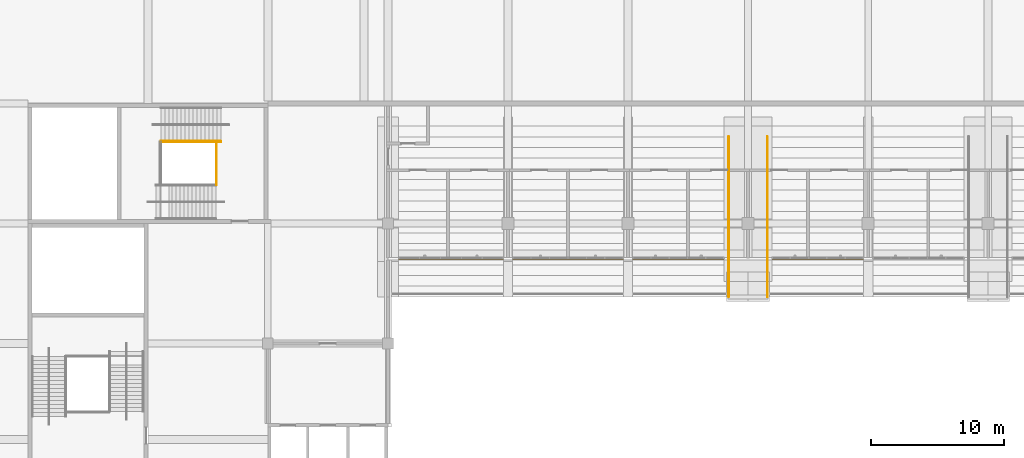
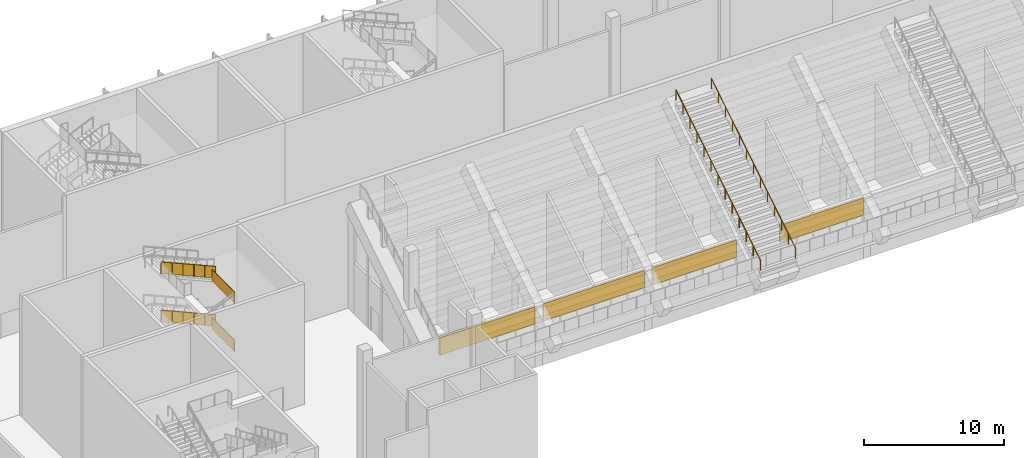
# One storey, part 154 of 182: 7 railings, 4 coverings.
"""IFC4 building model written with IfcOpenShell, lengths in metres."""

from ifc_helpers import new_model, si_unit, direction, frame, origin, origin_2d, place, context, subcontext, project, spatial, polyline, circle, outline, extrude, material, layer, layer_set, type_object, element, save


model = new_model("IFC4")

# Units and contexts
model_context = context("Model", 3, precision=1e-05, world=origin(), true_north=direction((0.0, 1.0)))
body_context = subcontext(model_context, "Body", "Model", "MODEL_VIEW")
ifc_project = project(units=[si_unit("LENGTHUNIT", "METRE"), si_unit("AREAUNIT", "SQUARE_METRE"), si_unit("VOLUMEUNIT", "CUBIC_METRE"), si_unit("PLANEANGLEUNIT", "RADIAN"), si_unit("MASSUNIT", "GRAM", prefix="KILO")], contexts=[model_context])

# Site, building, storey
site_placement = place(None, origin())
site = spatial("IfcSite", under=ifc_project, at=site_placement, CompositionType="ELEMENT")
building_placement = place(site_placement, origin())
building = spatial("IfcBuilding", under=site, at=building_placement, Name="Silverbay Arena", CompositionType="ELEMENT")
storey_placement = place(building_placement, frame((0.0, 0.0, 11.5)))
storey = spatial("IfcBuildingStorey", under=building, at=storey_placement, Name="L02", CompositionType="ELEMENT", Elevation=11.5)

# Railings
ifc_material_1 = material(Name="Stainless steel", Category="steel")
railing_type_1 = type_object("IfcRailingType", Name="Stair guard 1100", PredefinedType="GUARDRAIL", material=ifc_material_1)
railing_1_placement = place(storey_placement, frame((86.47412109375, 123.125, 4.331298828125)))
element("IfcRailing", 1, at=railing_1_placement, inside=storey, type_object=railing_type_1, Name="Stair ST-NW1 L02 to L03 flight 3 guard left", PredefinedType="GUARDRAIL", context=body_context, shape_type="SweptSolid", body=[
    extrude(circle(Radius=0.02392578125, at=origin_2d()), frame((0.0, 0.0, 1.076171875), z_axis=(-0.916157334902, 0.0, 0.40081883402), x_axis=(0.0, -1.0, 0.0)), (0.0, 0.0, 1.0), 4.911865234375),
    extrude(outline(polyline([(-0.008056640625, 0.04638671875), (0.907958984375, 0.447265625), (0.907958984375, 1.4501953125), (-0.008056640625, 1.049560546875), (-0.008056640625, 0.04638671875)])), frame((0.0, -0.0029296875, 0.0), z_axis=(0.0, 1.0, 0.0), x_axis=(-1.0, 0.0, 0.0)), (0.0, 0.0, 1.0), 0.006103515625),
    extrude(outline(polyline([(-0.008056640625, 0.440185546875), (0.907958984375, 0.841064453125), (0.907958984375, 1.843994140625), (-0.008056640625, 1.443359375), (-0.008056640625, 0.440185546875)])), frame((-0.89990234375, -0.0029296875, 0.0), z_axis=(0.0, 1.0, 0.0), x_axis=(-1.0, 0.0, 0.0)), (0.0, 0.0, 1.0), 0.006103515625),
    extrude(outline(polyline([(-0.008056640625, 0.833984375), (0.907958984375, 1.23486328125), (0.907958984375, 2.23779296875), (-0.008056640625, 1.8369140625), (-0.008056640625, 0.833984375)])), frame((-1.800048828125, -0.0029296875, 0.0), z_axis=(0.0, 1.0, 0.0), x_axis=(-1.0, 0.0, 0.0)), (0.0, 0.0, 1.0), 0.006103515625),
    extrude(outline(polyline([(-0.008056640625, 1.227783203125), (0.907958984375, 1.62841796875), (0.907958984375, 2.631591796875), (-0.008056640625, 2.230712890625), (-0.008056640625, 1.227783203125)])), frame((-2.699951171875, -0.0029296875, 0.0), z_axis=(0.0, 1.0, 0.0), x_axis=(-1.0, 0.0, 0.0)), (0.0, 0.0, 1.0), 0.006103515625),
    extrude(outline(polyline([(-0.008056640625, 1.62158203125), (0.907958984375, 2.022216796875), (0.907958984375, 3.025146484375), (-0.008056640625, 2.62451171875), (-0.008056640625, 1.62158203125)])), frame((-3.60009765625, -0.0029296875, 0.0), z_axis=(0.0, 1.0, 0.0), x_axis=(-1.0, 0.0, 0.0)), (0.0, 0.0, 1.0), 0.006103515625),
    extrude(circle(Radius=0.02099609375, at=origin_2d()), origin(), (0.0, 0.0, 1.0), 1.052001953125),
    extrude(circle(Radius=0.02099609375, at=origin_2d()), frame((-0.89990234375, 0.0, 0.393798828125)), (0.0, 0.0, 1.0), 1.052001953125),
    extrude(circle(Radius=0.02099609375, at=origin_2d()), frame((-1.800048828125, 0.0, 0.78759765625)), (0.0, 0.0, 1.0), 1.052001953125),
    extrude(circle(Radius=0.02099609375, at=origin_2d()), frame((-2.699951171875, 0.0, 1.18115234375)), (0.0, 0.0, 1.0), 1.052001953125),
    extrude(circle(Radius=0.02099609375, at=origin_2d()), frame((-3.60009765625, 0.0, 1.574951171875)), (0.0, 0.0, 1.0), 1.052001953125),
    extrude(circle(Radius=0.02099609375, at=origin_2d()), frame((-4.5, 0.0, 1.96875)), (0.0, 0.0, 1.0), 1.052001953125),
])
railing_2_placement = place(storey_placement, frame((86.47412109375, 123.125, 8.53125)))
element("IfcRailing", 2, at=railing_2_placement, inside=storey, type_object=railing_type_1, Name="Stair ST-NW1 L02 to L03 flight 5 guard left", PredefinedType="GUARDRAIL", context=body_context, shape_type="SweptSolid", body=[
    extrude(circle(Radius=0.02392578125, at=origin_2d()), frame((0.0, 0.0, 1.076171875), z_axis=(-0.916157334902, 0.0, 0.40081883402), x_axis=(0.0, -1.0, 0.0)), (0.0, 0.0, 1.0), 4.911865234375),
    extrude(outline(polyline([(-0.008056640625, 0.04638671875), (0.907958984375, 0.447265625), (0.907958984375, 1.4501953125), (-0.008056640625, 1.049560546875), (-0.008056640625, 0.04638671875)])), frame((0.0, -0.0029296875, 0.0), z_axis=(0.0, 1.0, 0.0), x_axis=(-1.0, 0.0, 0.0)), (0.0, 0.0, 1.0), 0.006103515625),
    extrude(outline(polyline([(-0.008056640625, 0.440185546875), (0.907958984375, 0.841064453125), (0.907958984375, 1.843994140625), (-0.008056640625, 1.443359375), (-0.008056640625, 0.440185546875)])), frame((-0.89990234375, -0.0029296875, 0.0), z_axis=(0.0, 1.0, 0.0), x_axis=(-1.0, 0.0, 0.0)), (0.0, 0.0, 1.0), 0.006103515625),
    extrude(outline(polyline([(-0.008056640625, 0.833984375), (0.907958984375, 1.23486328125), (0.907958984375, 2.23779296875), (-0.008056640625, 1.8369140625), (-0.008056640625, 0.833984375)])), frame((-1.800048828125, -0.0029296875, 0.0), z_axis=(0.0, 1.0, 0.0), x_axis=(-1.0, 0.0, 0.0)), (0.0, 0.0, 1.0), 0.006103515625),
    extrude(outline(polyline([(-0.008056640625, 1.227783203125), (0.907958984375, 1.62841796875), (0.907958984375, 2.631591796875), (-0.008056640625, 2.230712890625), (-0.008056640625, 1.227783203125)])), frame((-2.699951171875, -0.0029296875, 0.0), z_axis=(0.0, 1.0, 0.0), x_axis=(-1.0, 0.0, 0.0)), (0.0, 0.0, 1.0), 0.006103515625),
    extrude(outline(polyline([(-0.008056640625, 1.62158203125), (0.907958984375, 2.022216796875), (0.907958984375, 3.025146484375), (-0.008056640625, 2.62451171875), (-0.008056640625, 1.62158203125)])), frame((-3.60009765625, -0.0029296875, 0.0), z_axis=(0.0, 1.0, 0.0), x_axis=(-1.0, 0.0, 0.0)), (0.0, 0.0, 1.0), 0.006103515625),
    extrude(circle(Radius=0.02099609375, at=origin_2d()), origin(), (0.0, 0.0, 1.0), 1.052001953125),
    extrude(circle(Radius=0.02099609375, at=origin_2d()), frame((-0.89990234375, 0.0, 0.393798828125)), (0.0, 0.0, 1.0), 1.052001953125),
    extrude(circle(Radius=0.02099609375, at=origin_2d()), frame((-1.800048828125, 0.0, 0.78759765625)), (0.0, 0.0, 1.0), 1.052001953125),
    extrude(circle(Radius=0.02099609375, at=origin_2d()), frame((-2.699951171875, 0.0, 1.18115234375)), (0.0, 0.0, 1.0), 1.052001953125),
    extrude(circle(Radius=0.02099609375, at=origin_2d()), frame((-3.60009765625, 0.0, 1.574951171875)), (0.0, 0.0, 1.0), 1.052001953125),
    extrude(circle(Radius=0.02099609375, at=origin_2d()), frame((-4.5, 0.0, 1.96875)), (0.0, 0.0, 1.0), 1.052001953125),
])
for number, where, name in (
    (3, (86.14990234375, 119.89990234375, 4.199951171875), "Stair ST-NW1 L02 to L03 landing 2 guard"),
    (4, (86.14990234375, 119.89990234375, 8.39990234375), "Stair ST-NW1 L02 to L03 landing 4 guard"),
):
    element("IfcRailing", number, at=place(storey_placement, frame(where)), inside=storey, type_object=railing_type_1, Name=name, PredefinedType="GUARDRAIL", context=body_context, shape_type="SweptSolid", body=[
        extrude(circle(Radius=0.02392578125, at=origin_2d()), frame((0.0, 0.0, 1.076171875), z_axis=(0.0, 1.0, 0.0), x_axis=(-1.0, 0.0, 0.0)), (0.0, 0.0, 1.0), 3.2001953125),
        extrude(outline(polyline([(-0.008056640625, 0.050048828125), (1.07470703125, 0.050048828125), (1.07470703125, 1.052978515625), (-0.008056640625, 1.052978515625), (-0.008056640625, 0.050048828125)])), frame((-0.0029296875, 0.0, 0.0), z_axis=(1.0, 0.0, 0.0), x_axis=(0.0, 1.0, 0.0)), (0.0, 0.0, 1.0), 0.006103515625),
        extrude(outline(polyline([(-0.008056640625, 0.050048828125), (1.07470703125, 0.050048828125), (1.07470703125, 1.052978515625), (-0.008056640625, 1.052978515625), (-0.008056640625, 0.050048828125)])), frame((-0.0029296875, 1.066650390625, 0.0), z_axis=(1.0, 0.0, 0.0), x_axis=(0.0, 1.0, 0.0)), (0.0, 0.0, 1.0), 0.006103515625),
        extrude(outline(polyline([(-0.008056640625, 0.050048828125), (1.07470703125, 0.050048828125), (1.07470703125, 1.052978515625), (-0.008056640625, 1.052978515625), (-0.008056640625, 0.050048828125)])), frame((-0.0029296875, 2.133544921875, 0.0), z_axis=(1.0, 0.0, 0.0), x_axis=(0.0, 1.0, 0.0)), (0.0, 0.0, 1.0), 0.006103515625),
        extrude(circle(Radius=0.02099609375, at=origin_2d()), origin(), (0.0, 0.0, 1.0), 1.052001953125),
        extrude(circle(Radius=0.02099609375, at=origin_2d()), frame((0.0, 1.066650390625, 0.0)), (0.0, 0.0, 1.0), 1.052001953125),
        extrude(circle(Radius=0.02099609375, at=origin_2d()), frame((0.0, 2.133544921875, 0.0)), (0.0, 0.0, 1.0), 1.052001953125),
        extrude(circle(Radius=0.02099609375, at=origin_2d()), frame((0.0, 3.2001953125, 0.0)), (0.0, 0.0, 1.0), 1.052001953125),
    ])
ifc_material_2 = material(Name="Stainless steel", Category="steel")
railing_type_2 = type_object("IfcRailingType", Name="Stair handrail 900", PredefinedType="HANDRAIL", material=ifc_material_2)
railing_3_placement = place(storey_placement, frame((86.47412109375, 123.1640625, 8.53125)))
element("IfcRailing", 5, at=railing_3_placement, inside=storey, type_object=railing_type_2, Name="Stair ST-NW1 L02 to L03 flight 5 handrail left", PredefinedType="HANDRAIL", context=body_context, shape_type="SweptSolid", body=[
    extrude(circle(Radius=0.02392578125, at=origin_2d()), frame((0.0, 0.0, 0.8759765625), z_axis=(-0.916157334902, 0.0, 0.40081883402), x_axis=(0.0, -1.0, 0.0)), (0.0, 0.0, 1.0), 4.911865234375),
    extrude(circle(Radius=0.02099609375, at=origin_2d()), origin(), (0.0, 0.0, 1.0), 0.851806640625),
    extrude(circle(Radius=0.02099609375, at=origin_2d()), frame((-0.89990234375, 0.0, 0.393798828125)), (0.0, 0.0, 1.0), 0.851806640625),
    extrude(circle(Radius=0.02099609375, at=origin_2d()), frame((-1.800048828125, 0.0, 0.78759765625)), (0.0, 0.0, 1.0), 0.851806640625),
    extrude(circle(Radius=0.02099609375, at=origin_2d()), frame((-2.699951171875, 0.0, 1.18115234375)), (0.0, 0.0, 1.0), 0.851806640625),
    extrude(circle(Radius=0.02099609375, at=origin_2d()), frame((-3.60009765625, 0.0, 1.574951171875)), (0.0, 0.0, 1.0), 0.851806640625),
    extrude(circle(Radius=0.02099609375, at=origin_2d()), frame((-4.5, 0.0, 1.96875)), (0.0, 0.0, 1.0), 0.851806640625),
])
for number, where, name in (
    (6, (124.550048828125, 111.5, 3.0), "Vomitory stair V07 handrail left"),
    (7, (127.449951171875, 111.5, 3.0), "Vomitory stair V07 handrail right"),
):
    element("IfcRailing", number, at=place(storey_placement, frame(where)), inside=storey, type_object=railing_type_2, Name=name, PredefinedType="HANDRAIL", context=body_context, shape_type="SweptSolid", body=[
        extrude(circle(Radius=0.02392578125, at=origin_2d()), frame((0.0, 0.0, 0.8759765625), z_axis=(0.0, 0.847998304005, 0.529998940003), x_axis=(-1.0, 0.0, 0.0)), (0.0, 0.0, 1.0), 14.15087890625),
        extrude(circle(Radius=0.02099609375, at=origin_2d()), origin(), (0.0, 0.0, 1.0), 0.851806640625),
        extrude(circle(Radius=0.02099609375, at=origin_2d()), frame((0.0, 1.0, 0.625)), (0.0, 0.0, 1.0), 0.851806640625),
        extrude(circle(Radius=0.02099609375, at=origin_2d()), frame((0.0, 2.0, 1.25)), (0.0, 0.0, 1.0), 0.851806640625),
        extrude(circle(Radius=0.02099609375, at=origin_2d()), frame((0.0, 3.0, 1.875)), (0.0, 0.0, 1.0), 0.851806640625),
        extrude(circle(Radius=0.02099609375, at=origin_2d()), frame((0.0, 4.0, 2.5)), (0.0, 0.0, 1.0), 0.851806640625),
        extrude(circle(Radius=0.02099609375, at=origin_2d()), frame((0.0, 5.0, 3.125)), (0.0, 0.0, 1.0), 0.851806640625),
        extrude(circle(Radius=0.02099609375, at=origin_2d()), frame((0.0, 6.0, 3.75)), (0.0, 0.0, 1.0), 0.851806640625),
        extrude(circle(Radius=0.02099609375, at=origin_2d()), frame((0.0, 7.0, 4.375)), (0.0, 0.0, 1.0), 0.851806640625),
        extrude(circle(Radius=0.02099609375, at=origin_2d()), frame((0.0, 8.0, 5.0)), (0.0, 0.0, 1.0), 0.851806640625),
        extrude(circle(Radius=0.02099609375, at=origin_2d()), frame((0.0, 9.0, 5.625)), (0.0, 0.0, 1.0), 0.851806640625),
        extrude(circle(Radius=0.02099609375, at=origin_2d()), frame((0.0, 10.0, 6.25)), (0.0, 0.0, 1.0), 0.851806640625),
        extrude(circle(Radius=0.02099609375, at=origin_2d()), frame((0.0, 11.0, 6.875)), (0.0, 0.0, 1.0), 0.851806640625),
        extrude(circle(Radius=0.02099609375, at=origin_2d()), frame((0.0, 12.0, 7.5)), (0.0, 0.0, 1.0), 0.851806640625),
    ])

# Coverings
ifc_material_3 = material(Name="Aluminium composite cladding", Category="aluminium")
ifc_layer = layer(ifc_material_3, 0.199951171875)
ifc_layer_set = layer_set([ifc_layer], Name="Aluminium composite cladding")
covering_type = type_object("IfcCoveringType", Name="Suite front fascia cladding 200", PredefinedType="CLADDING", material=ifc_layer_set)
covering_1_placement = place(storey_placement, frame((0.0, 0.0, 2.537109375)))
element("IfcCovering", 8, at=covering_1_placement, inside=storey, type_object=covering_type, Name="North suite front fascia 1", PredefinedType="CLADDING", context=body_context, shape_type="SweptSolid", body=[
    extrude(outline(polyline([(99.800048828125, 114.5), (107.64990234375, 114.5), (107.64990234375, 114.300048828125), (99.800048828125, 114.300048828125), (99.800048828125, 114.5)])), origin(), (0.0, 0.0, 1.0), 1.496826171875),
])
covering_2_placement = place(storey_placement, frame((0.0, 0.0, 2.537109375)))
element("IfcCovering", 9, at=covering_2_placement, inside=storey, type_object=covering_type, Name="North suite front fascia 2", PredefinedType="CLADDING", context=body_context, shape_type="SweptSolid", body=[
    extrude(outline(polyline([(108.35009765625, 114.5), (116.64990234375, 114.5), (116.64990234375, 114.300048828125), (108.35009765625, 114.300048828125), (108.35009765625, 114.5)])), origin(), (0.0, 0.0, 1.0), 1.496826171875),
])
covering_3_placement = place(storey_placement, frame((0.0, 0.0, 2.537109375)))
element("IfcCovering", 10, at=covering_3_placement, inside=storey, type_object=covering_type, Name="North suite front fascia 3", PredefinedType="CLADDING", context=body_context, shape_type="SweptSolid", body=[
    extrude(outline(polyline([(117.35009765625, 114.5), (124.199951171875, 114.5), (124.199951171875, 114.300048828125), (117.35009765625, 114.300048828125), (117.35009765625, 114.5)])), origin(), (0.0, 0.0, 1.0), 1.496826171875),
])
covering_4_placement = place(storey_placement, frame((0.0, 0.0, 2.537109375)))
element("IfcCovering", 11, at=covering_4_placement, inside=storey, type_object=covering_type, Name="North suite front fascia 4", PredefinedType="CLADDING", context=body_context, shape_type="SweptSolid", body=[
    extrude(outline(polyline([(127.800048828125, 114.5), (134.64990234375, 114.5), (134.64990234375, 114.300048828125), (127.800048828125, 114.300048828125), (127.800048828125, 114.5)])), origin(), (0.0, 0.0, 1.0), 1.496826171875),
])

save(model, "model.ifc")
